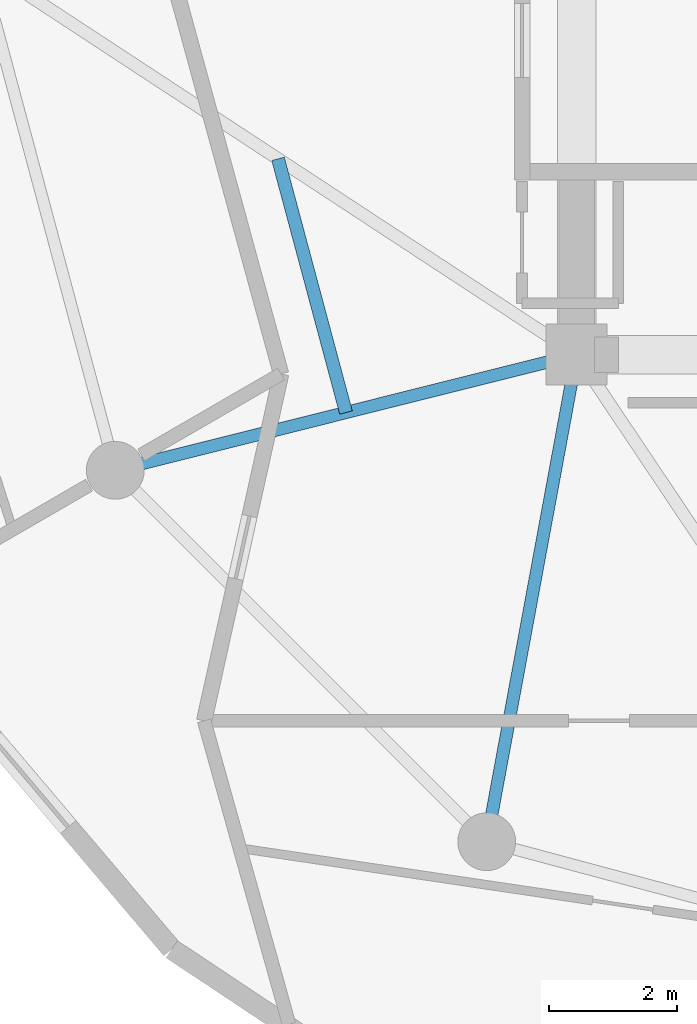
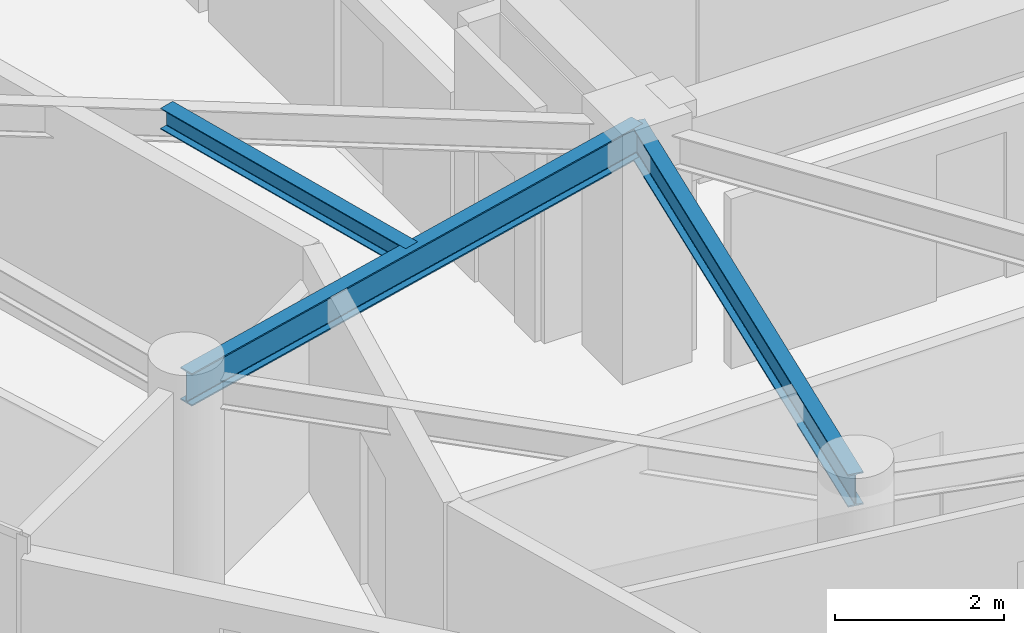
# One storey, part 4 of 24: 3 beams.
"""IFC4 building model written with IfcOpenShell, lengths in metres."""

import ifcopenshell
import ifcopenshell.guid

model = None  # the IFC model being written
_history = None  # IfcOwnerHistory: only IFC2X3 demands one
_inside = {}  # id of a spatial element -> (the spatial element, [elements in it])
_under = {}  # id of a project, library or spatial element -> (it, [spatial elements below it])
_declared = {}  # id of a project -> (the project, [libraries it declares])
_typed = {}  # id of a type object -> (the type object, [elements of that type])
_made_of = {}  # id of a material, layer set ... -> (it, [elements and type objects made of it])


def new_model(schema):
    """Start an empty IFC model of exactly this schema.

    Asked for "IFC4X3", IfcOpenShell would pick the latest addendum, in which some entities
    have other attributes; the version numbers below select the first issue.
    IFC2X3 requires an IfcOwnerHistory on every rooted entity: one is made here for all.
    """
    global model, _history
    if schema == "IFC4X3":
        model = ifcopenshell.file(schema_version=(4, 3, 0, 0))
    else:
        model = ifcopenshell.file(schema=schema)
    _inside.clear()
    _under.clear()
    _declared.clear()
    _typed.clear()
    _made_of.clear()
    _history = None
    if model.schema == "IFC2X3":
        org = make("IfcOrganization", Name="unknown")
        user = make(
            "IfcPersonAndOrganization",
            ThePerson=make("IfcPerson", FamilyName="unknown"),
            TheOrganization=org,
        )
        app = make(
            "IfcApplication",
            ApplicationDeveloper=org,
            Version="unknown",
            ApplicationFullName="unknown",
            ApplicationIdentifier="unknown",
        )
        _history = make(
            "IfcOwnerHistory",
            OwningUser=user,
            OwningApplication=app,
            ChangeAction="ADDED",
            CreationDate=0,
        )
    return model


def make(cls, **values):
    """One entity of the class cls with the attributes given. An attribute that is None is left unset."""
    return model.create_entity(
        cls, **{name: value for name, value in values.items() if value is not None}
    )


def rooted(cls, **values):
    """An entity with a GlobalId (a new one), such as an element, a storey or a relation."""
    return make(cls, GlobalId=ifcopenshell.guid.new(), OwnerHistory=_history, **values)


def si_unit(unit_type, name, prefix=None):
    """IfcSIUnit, for example si_unit("LENGTHUNIT", "METRE", prefix="MILLI")."""
    return make("IfcSIUnit", UnitType=unit_type, Prefix=prefix, Name=name)


def assignment(units):
    """IfcUnitAssignment: the units of a project."""
    return None if units is None else make("IfcUnitAssignment", Units=units)


def point(xyz):
    """IfcCartesianPoint."""
    return None if xyz is None else make("IfcCartesianPoint", Coordinates=xyz)


def direction(xyz):
    """IfcDirection."""
    return None if xyz is None else make("IfcDirection", DirectionRatios=xyz)


def frame(location, z_axis=None, x_axis=None):
    """IfcAxis2Placement3D, a coordinate frame: its origin and axes. An axis left out is left unset."""
    return make(
        "IfcAxis2Placement3D",
        Location=point(location),
        Axis=direction(z_axis),
        RefDirection=direction(x_axis),
    )


def frame_2d(location, x_axis=None):
    """IfcAxis2Placement2D, a coordinate frame in the plane: its origin and x axis."""
    return make(
        "IfcAxis2Placement2D", Location=point(location), RefDirection=direction(x_axis)
    )


def origin():
    """The frame at (0, 0, 0) with its axes left unset."""
    return frame((0.0, 0.0, 0.0))


def origin_2d():
    """The frame at (0, 0) in the plane with its x axis left unset."""
    return frame_2d((0.0, 0.0))


def place(relative_to, where):
    """IfcLocalPlacement: puts the frame where relative to a parent placement (None: the world)."""
    return make(
        "IfcLocalPlacement", PlacementRelTo=relative_to, RelativePlacement=where
    )


def context(
    kind, dimensions, precision=None, world=None, true_north=None, identifier=None
):
    """IfcGeometricRepresentationContext, for example the 3D "Model" context."""
    return make(
        "IfcGeometricRepresentationContext",
        ContextIdentifier=identifier,
        ContextType=kind,
        CoordinateSpaceDimension=dimensions,
        Precision=precision,
        WorldCoordinateSystem=world,
        TrueNorth=true_north,
    )


def subcontext(parent, identifier, kind, view, scale=None):
    """IfcGeometricRepresentationSubContext, for example "Body" below "Model"."""
    return make(
        "IfcGeometricRepresentationSubContext",
        ContextIdentifier=identifier,
        ContextType=kind,
        ParentContext=parent,
        TargetScale=scale,
        TargetView=view,
    )


def project(units=None, contexts=None):
    """IfcProject with its units and contexts."""
    return rooted(
        "IfcProject",
        Name="project",
        RepresentationContexts=contexts,
        UnitsInContext=assignment(units),
    )


def spatial(cls, under=None, at=None, **own):
    """A site, building, storey or space (cls), placed at a placement, below another one or the project."""
    s = rooted(cls, ObjectPlacement=at, **own)
    if under is not None:
        _under.setdefault(under.id(), (under, []))[1].append(s)
    return s


def profile(cls, at=None, kind="AREA", **sizes):
    """A parametric profile (cls). Its sizes go by their IFC names, for example OverallWidth=200.0."""
    return make(cls, ProfileType=kind, Position=at, **sizes)


def i_section(**sizes):
    """IfcIShapeProfileDef."""
    return profile("IfcIShapeProfileDef", **sizes)


def extrude(swept, where, along, depth):
    """IfcExtrudedAreaSolid: the profile swept, set in the frame where, extruded along a direction by depth."""
    return make(
        "IfcExtrudedAreaSolid",
        SweptArea=swept,
        Position=where,
        ExtrudedDirection=direction(along),
        Depth=depth,
    )


def shape(context_of_items, identifier, shape_type, items):
    """IfcShapeRepresentation: the items that make up one representation, for example the "Body"."""
    return make(
        "IfcShapeRepresentation",
        ContextOfItems=context_of_items,
        RepresentationIdentifier=identifier,
        RepresentationType=shape_type,
        Items=items,
    )


def material(Name=None, Category=None):
    """IfcMaterial."""
    return make("IfcMaterial", Name=Name, Category=Category)


def material_profile(
    of_material, cross_section, Name=None, Category=None, Priority=None
):
    """IfcMaterialProfile: a cross section and its material."""
    return make(
        "IfcMaterialProfile",
        Name=Name,
        Material=of_material,
        Profile=cross_section,
        Priority=Priority,
        Category=Category,
    )


def profile_set(profiles, Name=None, composite=None):
    """IfcMaterialProfileSet."""
    return make(
        "IfcMaterialProfileSet",
        Name=Name,
        MaterialProfiles=profiles,
        CompositeProfile=composite,
    )


def made_of(thing, what):
    """Note that an element or type object is made of a material, layer set ...; save() writes the relation."""
    if what is not None:
        _made_of.setdefault(what.id(), (what, []))[1].append(thing)
    return thing


def type_object(cls, material=None, **own):
    """A type object (cls), such as IfcWallType, which elements share."""
    return made_of(rooted(cls, **own), material)


def element(
    cls,
    number,
    at=None,
    inside=None,
    cuts=None,
    type_object=None,
    material=None,
    context=None,
    identifier="Body",
    shape_type=None,
    held_by="IfcProductDefinitionShape",
    body=None,
    shapes=None,
    **own,
):
    """One element of the class cls, such as IfcWall. Its Tag is "e" and its number.

    at: its placement. inside: the storey or other place that contains it. cuts: it is an
    opening in that element (IfcRelVoidsElement). A single representation is given by context,
    identifier, shape_type and body (its items); several are given by shapes. held_by: the class
    of the entity that holds the representations. save() writes the other relations.
    """
    e = rooted(cls, Tag="e%d" % number, ObjectPlacement=at, **own)
    if body is not None:
        shapes = [shape(context, identifier, shape_type, body)]
    if shapes is not None:
        e.Representation = make(held_by, Representations=shapes)
    if inside is not None:
        _inside.setdefault(inside.id(), (inside, []))[1].append(e)
    if cuts is not None:
        rooted(
            "IfcRelVoidsElement", RelatingBuildingElement=cuts, RelatedOpeningElement=e
        )
    if type_object is not None:
        _typed.setdefault(type_object.id(), (type_object, []))[1].append(e)
    return made_of(e, material)


def aggregate(whole, parts):
    """IfcRelAggregates: a whole, such as a stair, and the parts it consists of."""
    return rooted("IfcRelAggregates", RelatingObject=whole, RelatedObjects=parts)


def save(model, path):
    """Write the relations noted so far, then the file.

    IfcRelAggregates (storeys below a building ...), IfcRelContainedInSpatialStructure (elements
    in a storey), IfcRelDefinesByType, IfcRelAssociatesMaterial and IfcRelDeclares: one each for
    every whole, place, type object, material and project.
    """
    for whole, parts in _under.values():
        aggregate(whole, parts)
    for where, things in _inside.values():
        rooted(
            "IfcRelContainedInSpatialStructure",
            RelatedElements=things,
            RelatingStructure=where,
        )
    for kind, things in _typed.values():
        rooted("IfcRelDefinesByType", RelatedObjects=things, RelatingType=kind)
    for what, things in _made_of.values():
        rooted("IfcRelAssociatesMaterial", RelatedObjects=things, RelatingMaterial=what)
    for by, libraries in _declared.values():
        rooted("IfcRelDeclares", RelatingContext=by, RelatedDefinitions=libraries)
    model.write(path)


model = new_model("IFC4")

# Units and contexts
model_context = context("Model", 3, precision=1e-05, world=origin(), true_north=direction((0.0, 1.0)))
body_context = subcontext(model_context, "Body", "Model", "MODEL_VIEW")
ifc_project = project(units=[si_unit("LENGTHUNIT", "METRE"), si_unit("AREAUNIT", "SQUARE_METRE"), si_unit("VOLUMEUNIT", "CUBIC_METRE"), si_unit("PLANEANGLEUNIT", "RADIAN"), si_unit("MASSUNIT", "GRAM", prefix="KILO")], contexts=[model_context])

# Site, building, storey
site_placement = place(None, origin())
site = spatial("IfcSite", under=ifc_project, at=site_placement, CompositionType="ELEMENT")
building_placement = place(site_placement, origin())
building = spatial("IfcBuilding", under=site, at=building_placement, Name="Solvirekh Grand Hotel", CompositionType="ELEMENT")
storey_placement = place(building_placement, frame((0.0, 0.0, 184.0)))
storey = spatial("IfcBuildingStorey", under=building, at=storey_placement, Name="L47", CompositionType="ELEMENT", Elevation=184.0)

# Beams
ifc_material = material(Name="Steel S355", Category="steel")
ifc_material_profile_1 = material_profile(ifc_material, i_section(OverallWidth=0.194091796875, OverallDepth=0.468994140625, WebThickness=0.010986328125, FlangeThickness=0.01904296875, FilletRadius=0.012939453125, at=origin_2d()), Name="W460X106")
ifc_profile_set_1 = profile_set([ifc_material_profile_1], Name="Steel S355")
beam_type_1 = type_object("IfcBeamType", Name="Beam_Radial_W460H", PredefinedType="BEAM", material=ifc_profile_set_1)
beam_1_placement = place(storey_placement, frame((-6.5, -6.10009765625, 3.1259765625), z_axis=(-0.970014367692, -0.243047580675, 0.0), x_axis=(0.243047580675, -0.970014367692, 0.0)))
element("IfcBeam", 1, at=beam_1_placement, inside=storey, type_object=beam_type_1, Name="L47 radial floor beam R08", PredefinedType="BEAM", context=body_context, shape_type="SweptSolid", body=[
    extrude(i_section(OverallWidth=0.194091796875, OverallDepth=0.468994140625, WebThickness=0.010986328125, FlangeThickness=0.01904296875, FilletRadius=0.012939453125, at=origin_2d()), origin(), (0.0, 0.0, 1.0), 7.4052734375),
])
beam_2_placement = place(storey_placement, frame((-6.5, -6.10009765625, 3.1259765625), z_axis=(-0.181542769111, -0.983383049978, 0.0), x_axis=(0.983383049978, -0.181542769111, 0.0)))
element("IfcBeam", 2, at=beam_2_placement, inside=storey, type_object=beam_type_1, Name="L47 radial floor beam R09", PredefinedType="BEAM", context=body_context, shape_type="SweptSolid", body=[
    extrude(i_section(OverallWidth=0.194091796875, OverallDepth=0.468994140625, WebThickness=0.010986328125, FlangeThickness=0.01904296875, FilletRadius=0.012939453125, at=origin_2d()), origin(), (0.0, 0.0, 1.0), 7.711181640625),
])
ifc_material_profile_2 = material_profile(ifc_material, i_section(OverallWidth=0.202880859375, OverallDepth=0.302978515625, WebThickness=0.008056640625, FlangeThickness=0.012939453125, FilletRadius=0.010009765625, at=origin_2d()), Name="W310X60")
ifc_profile_set_2 = profile_set([ifc_material_profile_2], Name="Steel S355")
beam_type_2 = type_object("IfcBeamType", Name="Joist_Floor_W310", PredefinedType="JOIST", material=ifc_profile_set_2)
beam_3_placement = place(storey_placement, frame((-11.14990234375, -3.050048828125, 3.208984375), z_axis=(0.25892209236, -0.965898208968, 0.0), x_axis=(0.965898208968, 0.25892209236, 0.0)))
element("IfcBeam", 3, at=beam_3_placement, inside=storey, type_object=beam_type_2, Name="L47 secondary composite floor joist 7", PredefinedType="JOIST", context=body_context, shape_type="SweptSolid", body=[
    extrude(i_section(OverallWidth=0.202880859375, OverallDepth=0.302978515625, WebThickness=0.008056640625, FlangeThickness=0.012939453125, FilletRadius=0.010009765625, at=origin_2d()), origin(), (0.0, 0.0, 1.0), 4.08935546875),
])

save(model, "model.ifc")
